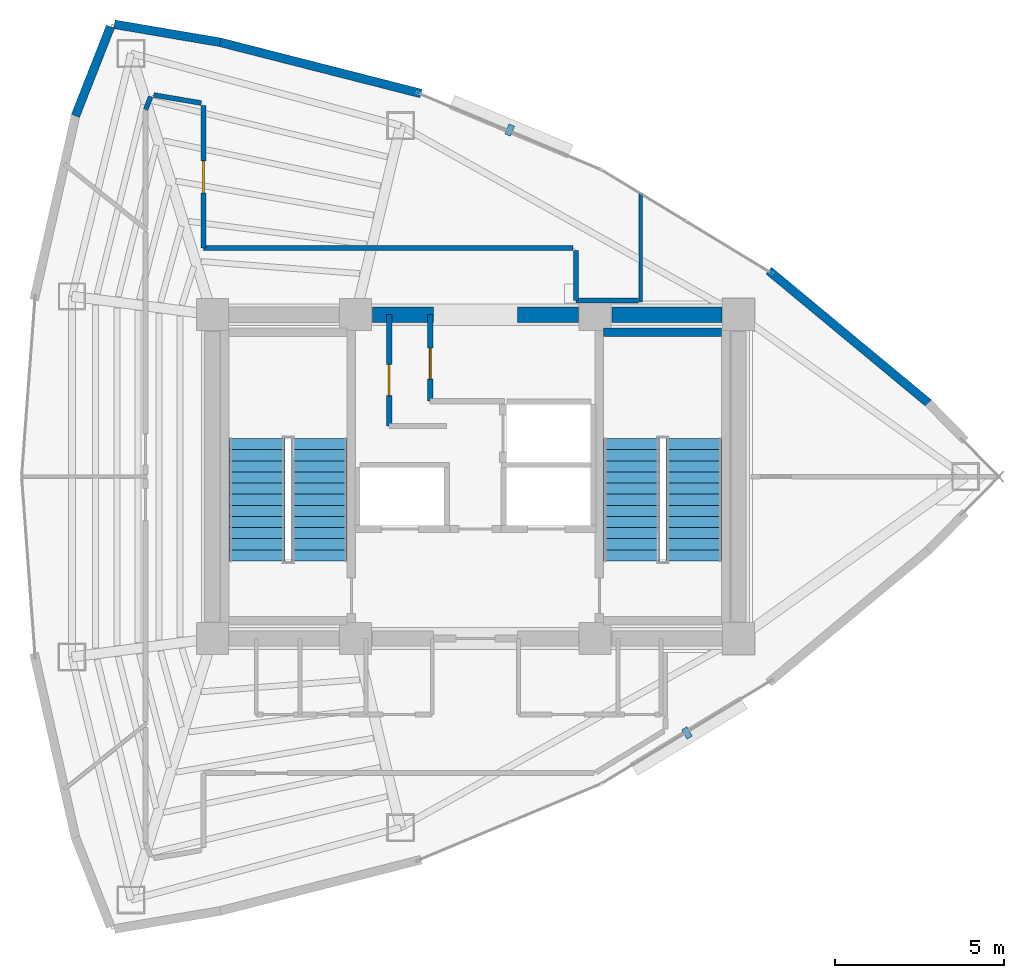
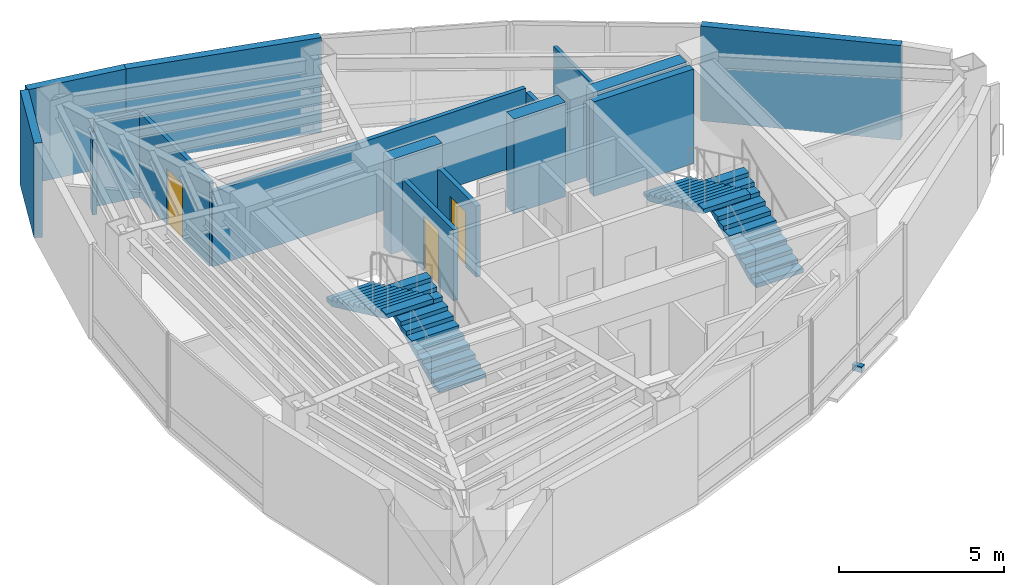
# One storey, part 13 of 15: 17 walls, 4 stair flights, 3 doors, 2 discrete accessories, 3 openings, 2 elements without a shape of their own.
"""IFC4 building model written with IfcOpenShell, lengths in metres."""

from ifc_helpers import new_model, si_unit, direction, frame, frame_2d, origin, origin_2d, place, context, subcontext, project, spatial, polyline, rectangle, outline, extrude, material, layer, layer_set, type_object, element, fill, aggregate, save


model = new_model("IFC4")

# Units and contexts
model_context = context("Model", 3, precision=1e-05, world=origin(), true_north=direction((0.0, 1.0)))
body_context = subcontext(model_context, "Body", "Model", "MODEL_VIEW")
ifc_project = project(units=[si_unit("LENGTHUNIT", "METRE"), si_unit("AREAUNIT", "SQUARE_METRE"), si_unit("VOLUMEUNIT", "CUBIC_METRE"), si_unit("PLANEANGLEUNIT", "RADIAN"), si_unit("MASSUNIT", "GRAM", prefix="KILO")], contexts=[model_context])

# Site, building, storey
site_placement = place(None, origin())
site = spatial("IfcSite", under=ifc_project, at=site_placement, CompositionType="ELEMENT")
building_placement = place(site_placement, origin())
building = spatial("IfcBuilding", under=site, at=building_placement, Name="Menara Vayukalpa", CompositionType="ELEMENT")
storey_placement = place(building_placement, frame((0.0, 0.0, 262.02001953125)))
storey = spatial("IfcBuildingStorey", under=building, at=storey_placement, Name="L66", CompositionType="ELEMENT", Elevation=262.02001953125)

# Walls
ifc_material_1 = material(Name="Concrete C50/60", Category="concrete")
ifc_layer_1 = layer(ifc_material_1, 0.449951171875)
ifc_layer_set_1 = layer_set([ifc_layer_1], Name="Concrete C50/60")
wall_type_1 = type_object("IfcWallType", Name="WAL-CW450", PredefinedType="SHEAR", material=ifc_layer_set_1)
wall_1_placement = place(storey_placement, frame((22.544921875, 26.800048828125, 0.0), z_axis=(0.0, 0.0, 1.0), x_axis=(1.0, 0.0, 0.0)))
element("IfcWall", 1, at=wall_1_placement, inside=storey, type_object=wall_type_1, Name="L66 Buttressed Core Shear Wall CWN2", PredefinedType="SHEAR", context=body_context, shape_type="SweptSolid", body=[
    extrude(rectangle(XDim=1.80517578125, YDim=0.449951171875, at=frame_2d((0.902587890625, 0.0))), origin(), (0.0, 0.0, 1.0), 3.5),
])
wall_2_placement = place(storey_placement, frame((26.85009765625, 26.800048828125, 0.0), z_axis=(0.0, 0.0, 1.0), x_axis=(1.0, 0.0, 0.0)))
element("IfcWall", 2, at=wall_2_placement, inside=storey, type_object=wall_type_1, Name="L66 Buttressed Core Shear Wall CWN3", PredefinedType="SHEAR", context=body_context, shape_type="SweptSolid", body=[
    extrude(rectangle(XDim=1.804931640625, YDim=0.449951171875, at=frame_2d((0.90234375, 0.0))), origin(), (0.0, 0.0, 1.0), 3.5),
])
wall_3_placement = place(storey_placement, frame((29.64501953125, 26.800048828125, 0.0), z_axis=(0.0, 0.0, 1.0), x_axis=(1.0, 0.0, 0.0)))
element("IfcWall", 3, at=wall_3_placement, inside=storey, type_object=wall_type_1, Name="L66 Buttressed Core Shear Wall CWN4", PredefinedType="SHEAR", context=body_context, shape_type="SweptSolid", body=[
    extrude(rectangle(XDim=3.260009765625, YDim=0.449951171875, at=frame_2d((1.6298828125, 0.0))), origin(), (0.0, 0.0, 1.0), 3.5),
])
ifc_material_2 = material(Name="Insulated Precast Concrete C40/50", Category="concrete")
ifc_layer_2 = layer(ifc_material_2, 0.260009765625)
ifc_layer_set_2 = layer_set([ifc_layer_2], Name="Insulated Precast Concrete C40/50")
wall_type_2 = type_object("IfcWallType", Name="WAL-EXT260", PredefinedType="PARTITIONING", material=ifc_layer_set_2)
wall_4_placement = place(storey_placement, frame((34.295166015625, 28.1083984375, 0.0), z_axis=(0.0, 0.0, 1.0), x_axis=(0.769779830138, -0.638309496337, 0.0)))
element("IfcWall", 4, at=wall_4_placement, inside=storey, type_object=wall_type_2, Name="L66 Perimeter Terracotta Pier Wall 03", PredefinedType="PARTITIONING", context=body_context, shape_type="SweptSolid", body=[
    extrude(rectangle(XDim=6.154052734375, YDim=0.260009765625, at=frame_2d((3.0771484375, 0.0))), origin(), (0.0, 0.0, 1.0), 3.5),
])
wall_5_placement = place(storey_placement, frame((18.0244140625, 34.878662109375, 0.0), z_axis=(0.0, 0.0, 1.0), x_axis=(0.968988278672, -0.247106689096, 0.0)))
element("IfcWall", 5, at=wall_5_placement, inside=storey, type_object=wall_type_2, Name="L66 Perimeter Terracotta Pier Wall 06", PredefinedType="PARTITIONING", context=body_context, shape_type="SweptSolid", body=[
    extrude(rectangle(XDim=6.154296875, YDim=0.260009765625, at=frame_2d((3.0771484375, 0.0))), origin(), (0.0, 0.0, 1.0), 3.5),
])
wall_6_placement = place(storey_placement, frame((14.900146484375, 35.40869140625, 0.0), z_axis=(0.0, 0.0, 1.0), x_axis=(0.985889432766, -0.167397808709, 0.0)))
element("IfcWall", 6, at=wall_6_placement, inside=storey, type_object=wall_type_2, Name="L66 Perimeter Terracotta Pier Wall 07", PredefinedType="PARTITIONING", context=body_context, shape_type="SweptSolid", body=[
    extrude(rectangle(XDim=3.180908203125, YDim=0.260009765625, at=frame_2d((1.59033203125, 0.0))), origin(), (0.0, 0.0, 1.0), 3.5),
])
wall_7_placement = place(storey_placement, frame((13.741943359375, 32.693359375, 0.0), z_axis=(0.0, 0.0, 1.0), x_axis=(0.36559927932, 0.930772349697, 0.0)))
element("IfcWall", 7, at=wall_7_placement, inside=storey, type_object=wall_type_2, Name="L66 Perimeter Terracotta Pier Wall 08", PredefinedType="PARTITIONING", context=body_context, shape_type="SweptSolid", body=[
    extrude(rectangle(XDim=2.845458984375, YDim=0.260009765625, at=frame_2d((1.4228515625, 0.0))), origin(), (0.0, 0.0, 1.0), 3.5),
])

# Wall, opening, door
ifc_material_3 = material(Name="Lightweight Concrete Blockwork C16/20", Category="masonry")
ifc_layer_3 = layer(ifc_material_3, 0.159912109375)
ifc_layer_set_3 = layer_set([ifc_layer_3], Name="Lightweight Concrete Blockwork C16/20")
wall_type_3 = type_object("IfcWallType", Name="WAL-FR150", PredefinedType="PARTITIONING", material=ifc_layer_set_3)
wall_8_placement = place(storey_placement, frame((23.0400390625, 23.5, 0.0), z_axis=(0.0, 0.0, 1.0), x_axis=(0.0, 1.0, 0.0)))
wall_8 = element("IfcWall", 8, at=wall_8_placement, inside=storey, type_object=wall_type_3, Name="L66 Interior Partition IW-L66-LV7WB", PredefinedType="PARTITIONING", context=body_context, shape_type="SweptSolid", body=[
    extrude(rectangle(XDim=3.300048828125, YDim=0.159912109375, at=frame_2d((1.64990234375, 0.0))), origin(), (0.0, 0.0, 1.0), 2.6298828125),
])
opening_1_placement = place(wall_8_placement, frame((0.89990234375, 0.0, 0.0)))
opening_1 = element("IfcOpeningElement", 9, at=opening_1_placement, cuts=wall_8, Name="Opening ID6", PredefinedType="OPENING", context=body_context, shape_type="SweptSolid", body=[
    extrude(rectangle(XDim=0.919921875, YDim=2.050048828125, at=frame_2d((0.4599609375, 1.02490234375))), frame((0.0, 0.08984375, 0.0), z_axis=(0.0, -1.0, 0.0), x_axis=(1.0, 0.0, 0.0)), (0.0, 0.0, 1.0), 0.179931640625),
])
ifc_material_4 = material(Name="Acoustic Hardwood Veneer Timber Door", Category="wood")
door_type_1 = type_object("IfcDoorType", Name="DR-INT92", OperationType="NOTDEFINED", PredefinedType="DOOR", material=ifc_material_4)
door_1_placement = place(opening_1_placement, origin())
door_1 = element("IfcDoor", 10, at=door_1_placement, inside=storey, type_object=door_type_1, Name="L66 Interior Door DR-L66-LV7W", OperationType="SINGLE_SWING_RIGHT", OverallHeight=2.050048828125, OverallWidth=0.919921875, PredefinedType="DOOR", context=body_context, shape_type="SweptSolid", body=[
    extrude(rectangle(XDim=0.919921875, YDim=2.050048828125, at=frame_2d((0.4599609375, 1.02490234375))), frame((0.0, 0.02490234375, 0.0), z_axis=(0.0, -1.0, 0.0), x_axis=(1.0, 0.0, 0.0)), (0.0, 0.0, 1.0), 0.050048828125),
])
fill(opening_1, door_1)

wall_9_placement = place(storey_placement, frame((24.260009765625, 24.239990234375, 0.0), z_axis=(0.0, 0.0, 1.0), x_axis=(0.0, 1.0, 0.0)))
wall_9 = element("IfcWall", 11, at=wall_9_placement, inside=storey, type_object=wall_type_3, Name="L66 Interior Partition IW-L66-LV7EB", PredefinedType="PARTITIONING", context=body_context, shape_type="SweptSolid", body=[
    extrude(rectangle(XDim=2.56005859375, YDim=0.159912109375, at=frame_2d((1.280029296875, 0.0))), origin(), (0.0, 0.0, 1.0), 2.6298828125),
])
opening_2_placement = place(wall_9_placement, frame((0.64990234375, 0.0, 0.0)))
opening_2 = element("IfcOpeningElement", 12, at=opening_2_placement, cuts=wall_9, Name="Opening ID6", PredefinedType="OPENING", context=body_context, shape_type="SweptSolid", body=[
    extrude(rectangle(XDim=0.919921875, YDim=2.050048828125, at=frame_2d((0.4599609375, 1.02490234375))), frame((0.0, 0.08984375, 0.0), z_axis=(0.0, -1.0, 0.0), x_axis=(1.0, 0.0, 0.0)), (0.0, 0.0, 1.0), 0.179931640625),
])
door_2_placement = place(opening_2_placement, origin())
door_2 = element("IfcDoor", 13, at=door_2_placement, inside=storey, type_object=door_type_1, Name="L66 Interior Door DR-L66-LV7E", OperationType="SINGLE_SWING_LEFT", OverallHeight=2.050048828125, OverallWidth=0.919921875, PredefinedType="DOOR", context=body_context, shape_type="SweptSolid", body=[
    extrude(rectangle(XDim=0.919921875, YDim=2.050048828125, at=frame_2d((0.4599609375, 1.02490234375))), frame((0.0, 0.02490234375, 0.0), z_axis=(0.0, -1.0, 0.0), x_axis=(1.0, 0.0, 0.0)), (0.0, 0.0, 1.0), 0.050048828125),
])
fill(opening_2, door_2)

# Walls
ifc_material_5 = material(Name="Acoustic Mineral Stud Partition", Category="masonry")
ifc_layer_4 = layer(ifc_material_5, 0.110107421875)
ifc_layer_set_4 = layer_set([ifc_layer_4], Name="Acoustic Mineral Stud Partition")
wall_type_4 = type_object("IfcWallType", Name="WAL-PT110", PredefinedType="PARTITIONING", material=ifc_layer_set_4)
wall_10_placement = place(storey_placement, frame((30.5, 27.169921875, 0.0), z_axis=(0.0, 0.0, 1.0), x_axis=(0.0, 1.0, 0.0)))
element("IfcWall", 14, at=wall_10_placement, inside=storey, type_object=wall_type_4, Name="L66 Interior Partition IW-L66-RDIV01", PredefinedType="PARTITIONING", context=body_context, shape_type="SweptSolid", body=[
    extrude(rectangle(XDim=3.237060546875, YDim=0.110107421875, at=frame_2d((1.61865234375, 0.0))), origin(), (0.0, 0.0, 1.0), 2.6298828125),
])
ifc_material_6 = material(Name="Gypsum Drywall Acoustic Stud Assembly", Category="masonry")
ifc_layer_5 = layer(ifc_material_6, 0.14501953125)
ifc_layer_set_5 = layer_set([ifc_layer_5], Name="Gypsum Drywall Acoustic Stud Assembly")
wall_type_5 = type_object("IfcWallType", Name="WAL-PT150", PredefinedType="PARTITIONING", material=ifc_layer_set_5)
wall_11_placement = place(storey_placement, frame((30.429931640625, 27.219970703125, 0.0), z_axis=(0.0, 0.0, 1.0), x_axis=(-1.0, 0.0, 0.0)))
element("IfcWall", 15, at=wall_11_placement, inside=storey, type_object=wall_type_5, Name="L66 Interior Partition IW-L66-CRM05-1", PredefinedType="PARTITIONING", context=body_context, shape_type="SweptSolid", body=[
    extrude(rectangle(XDim=1.849853515625, YDim=0.14501953125, at=frame_2d((0.9248046875, 0.0))), origin(), (0.0, 0.0, 1.0), 2.6298828125),
])
wall_12_placement = place(storey_placement, frame((28.580078125, 27.219970703125, 0.0), z_axis=(0.0, 0.0, 1.0), x_axis=(0.0, 1.0, 0.0)))
element("IfcWall", 16, at=wall_12_placement, inside=storey, type_object=wall_type_5, Name="L66 Interior Partition IW-L66-CRM05-2", PredefinedType="PARTITIONING", context=body_context, shape_type="SweptSolid", body=[
    extrude(rectangle(XDim=1.47998046875, YDim=0.14501953125, at=frame_2d((0.739990234375, 0.0))), origin(), (0.0, 0.0, 1.0), 2.6298828125),
])
wall_13_placement = place(storey_placement, frame((28.5, 28.780029296875, 0.0), z_axis=(0.0, 0.0, 1.0), x_axis=(-1.0, 0.0, 0.0)))
element("IfcWall", 17, at=wall_13_placement, inside=storey, type_object=wall_type_5, Name="L66 Interior Partition IW-L66-CRM05-3", PredefinedType="PARTITIONING", context=body_context, shape_type="SweptSolid", body=[
    extrude(rectangle(XDim=10.9599609375, YDim=0.14501953125, at=frame_2d((5.47998046875, 0.0))), origin(), (0.0, 0.0, 1.0), 2.780029296875),
])

# Wall, opening, door
wall_14_placement = place(storey_placement, frame((17.5400390625, 28.780029296875, 0.0), z_axis=(0.0, 0.0, 1.0), x_axis=(0.0, 1.0, 0.0)))
wall_14 = element("IfcWall", 18, at=wall_14_placement, inside=storey, type_object=wall_type_5, Name="L66 Interior Partition IW-L66-CRM05-4", PredefinedType="PARTITIONING", context=body_context, shape_type="SweptSolid", body=[
    extrude(rectangle(XDim=4.216064453125, YDim=0.14501953125, at=frame_2d((2.10791015625, 0.0))), origin(), (0.0, 0.0, 1.0), 3.1298828125),
])
opening_3_placement = place(wall_14_placement, frame((1.633056640625, 0.0, 0.0)))
opening_3 = element("IfcOpeningElement", 19, at=opening_3_placement, cuts=wall_14, Name="Opening ID5", PredefinedType="OPENING", context=body_context, shape_type="SweptSolid", body=[
    extrude(rectangle(XDim=0.949951171875, YDim=2.06005859375, at=frame_2d((0.47509765625, 1.030029296875))), frame((0.0, 0.08251953125, 0.0), z_axis=(0.0, -1.0, 0.0), x_axis=(1.0, 0.0, 0.0)), (0.0, 0.0, 1.0), 0.1650390625),
])
ifc_material_7 = material(Name="Acoustic Hardwood Veneer Timber Door", Category="wood")
door_type_2 = type_object("IfcDoorType", Name="DR-INT95", OperationType="NOTDEFINED", PredefinedType="DOOR", material=ifc_material_7)
door_3_placement = place(opening_3_placement, origin())
door_3 = element("IfcDoor", 20, at=door_3_placement, inside=storey, type_object=door_type_2, Name="L66 Interior Door DR-L66-RM05", OperationType="SINGLE_SWING_LEFT", OverallHeight=2.06005859375, OverallWidth=0.949951171875, PredefinedType="DOOR", context=body_context, shape_type="SweptSolid", body=[
    extrude(rectangle(XDim=0.949951171875, YDim=2.06005859375, at=frame_2d((0.47509765625, 1.030029296875))), frame((0.0, 0.02490234375, 0.0), z_axis=(0.0, -1.0, 0.0), x_axis=(1.0, 0.0, 0.0)), (0.0, 0.0, 1.0), 0.050048828125),
])
fill(opening_3, door_3)

# Walls
wall_15_placement = place(storey_placement, frame((17.473388671875, 33.074951171875, 0.0), z_axis=(0.0, 0.0, 1.0), x_axis=(-0.985881780308, 0.167442871621, 0.0)))
element("IfcWall", 21, at=wall_15_placement, inside=storey, type_object=wall_type_5, Name="L66 Interior Partition IW-L66-CRM05-5", PredefinedType="PARTITIONING", context=body_context, shape_type="SweptSolid", body=[
    extrude(rectangle(XDim=1.430419921875, YDim=0.14501953125, at=frame_2d((0.71533203125, 0.0))), origin(), (0.0, 0.0, 1.0), 3.1298828125),
])
wall_16_placement = place(storey_placement, frame((15.975341796875, 33.2646484375, 0.0), z_axis=(0.0, 0.0, 1.0), x_axis=(-0.365633948196, -0.930758731319, 0.0)))
element("IfcWall", 22, at=wall_16_placement, inside=storey, type_object=wall_type_5, Name="L66 Interior Partition IW-L66-CRM05-6", PredefinedType="PARTITIONING", context=body_context, shape_type="SweptSolid", body=[
    extrude(rectangle(XDim=0.409912109375, YDim=0.14501953125, at=frame_2d((0.205078125, 0.0))), origin(), (0.0, 0.0, 1.0), 2.780029296875),
])
ifc_material_8 = material(Name="Concrete C50/60", Category="concrete")
ifc_layer_6 = layer(ifc_material_8, 0.25)
ifc_layer_set_6 = layer_set([ifc_layer_6], Name="Concrete C50/60")
wall_type_6 = type_object("IfcWallType", Name="WAL-SW250", PredefinedType="SHEAR", material=ifc_layer_set_6)
wall_17_placement = place(storey_placement, frame((29.39990234375, 26.27490234375, 0.0), z_axis=(0.0, 0.0, 1.0), x_axis=(1.0, 0.0, 0.0)))
element("IfcWall", 23, at=wall_17_placement, inside=storey, type_object=wall_type_6, Name="L66 ST2 Structural Stair Shaft Wall N", PredefinedType="SHEAR", context=body_context, shape_type="SweptSolid", body=[
    extrude(rectangle(XDim=3.5, YDim=0.25, at=frame_2d((1.75, 0.0))), origin(), (0.0, 0.0, 1.0), 3.5),
])

# Stair, stair flights
ifc_material_9 = material(Name="Precast Concrete C40/50", Category="concrete")
stair_type = type_object("IfcStairType", Name="STR-T04", PredefinedType="DOUBLE_RETURN_STAIR", material=ifc_material_9)
stair_1_placement = place(storey_placement, origin())
stair_1 = element("IfcStair", 24, at=stair_1_placement, inside=storey, type_object=stair_type, Name="L66 Core Exit Stair ST-1", PredefinedType="DOUBLE_RETURN_STAIR")
ifc_material_10 = material(Name="Precast Concrete C40/50", Category="concrete")
stair_flight_type = type_object("IfcStairFlightType", Name="STF-T04", PredefinedType="STRAIGHT", material=ifc_material_10)
stair_flight_1_placement = place(storey_placement, frame((20.97509765625, 19.5, 0.0), z_axis=(0.0, 0.0, 1.0), x_axis=(0.0, 1.0, 0.0)))
stair_flight_1 = element("IfcStairFlight", 25, at=stair_flight_1_placement, type_object=stair_flight_type, Name="ST-1 flight 1", NumberOfRisers=12, NumberOfTreads=11, PredefinedType="STRAIGHT", RiserHeight=0.155, TreadLength=0.33, context=body_context, shape_type="SweptSolid", body=[
    extrude(outline(polyline([(0.0, 0.0), (0.0, 0.155029296875), (0.330078125, 0.155029296875), (0.330078125, 0.31005859375), (0.659912109375, 0.31005859375), (0.659912109375, 0.465087890625), (0.989990234375, 0.465087890625), (0.989990234375, 0.6201171875), (1.320068359375, 0.6201171875), (1.320068359375, 0.77490234375), (1.64990234375, 0.77490234375), (1.64990234375, 0.929931640625), (1.97998046875, 0.929931640625), (1.97998046875, 1.0849609375), (2.31005859375, 1.0849609375), (2.31005859375, 1.239990234375), (2.639892578125, 1.239990234375), (2.639892578125, 1.39501953125), (2.969970703125, 1.39501953125), (2.969970703125, 1.550048828125), (3.300048828125, 1.550048828125), (3.300048828125, 1.705078125), (3.6298828125, 1.705078125), (3.6298828125, 1.860107421875), (3.6298828125, 1.539306640625), (0.3525390625, 0.0), (0.0, 0.0)])), frame((0.0, 0.824951171875, 0.0), z_axis=(0.0, -1.0, 0.0), x_axis=(1.0, 0.0, 0.0)), (0.0, 0.0, 1.0), 1.64990234375),
])
stair_flight_2_placement = place(storey_placement, frame((19.125, 23.1298828125, 1.85986328125), z_axis=(0.0, 0.0, 1.0), x_axis=(0.0, -1.0, 0.0)))
stair_flight_2 = element("IfcStairFlight", 26, at=stair_flight_2_placement, type_object=stair_flight_type, Name="ST-1 flight 2", NumberOfRisers=12, NumberOfTreads=11, PredefinedType="STRAIGHT", RiserHeight=0.155, TreadLength=0.33, context=body_context, shape_type="SweptSolid", body=[
    extrude(outline(polyline([(0.0, 0.0), (0.0, 0.155029296875), (0.330078125, 0.155029296875), (0.330078125, 0.31005859375), (0.659912109375, 0.31005859375), (0.659912109375, 0.465087890625), (0.989990234375, 0.465087890625), (0.989990234375, 0.6201171875), (1.320068359375, 0.6201171875), (1.320068359375, 0.77490234375), (1.64990234375, 0.77490234375), (1.64990234375, 0.929931640625), (1.97998046875, 0.929931640625), (1.97998046875, 1.0849609375), (2.31005859375, 1.0849609375), (2.31005859375, 1.239990234375), (2.639892578125, 1.239990234375), (2.639892578125, 1.39501953125), (2.969970703125, 1.39501953125), (2.969970703125, 1.550048828125), (3.300048828125, 1.550048828125), (3.300048828125, 1.705078125), (3.6298828125, 1.705078125), (3.6298828125, 1.860107421875), (3.6298828125, 1.539306640625), (0.3525390625, 0.0), (0.0, 0.0)])), frame((0.0, 0.824951171875, 0.0), z_axis=(0.0, -1.0, 0.0), x_axis=(1.0, 0.0, 0.0)), (0.0, 0.0, 1.0), 1.64990234375),
])
aggregate(stair_1, [stair_flight_1, stair_flight_2])

stair_2_placement = place(storey_placement, origin())
stair_2 = element("IfcStair", 27, at=stair_2_placement, inside=storey, type_object=stair_type, Name="L66 Core Exit Stair ST-2", PredefinedType="DOUBLE_RETURN_STAIR")
stair_flight_3_placement = place(storey_placement, frame((32.074951171875, 19.5, 0.0), z_axis=(0.0, 0.0, 1.0), x_axis=(0.0, 1.0, 0.0)))
stair_flight_3 = element("IfcStairFlight", 28, at=stair_flight_3_placement, type_object=stair_flight_type, Name="ST-2 flight 1", NumberOfRisers=12, NumberOfTreads=11, PredefinedType="STRAIGHT", RiserHeight=0.155, TreadLength=0.33, context=body_context, shape_type="SweptSolid", body=[
    extrude(outline(polyline([(0.0, 0.0), (0.0, 0.155029296875), (0.330078125, 0.155029296875), (0.330078125, 0.31005859375), (0.659912109375, 0.31005859375), (0.659912109375, 0.465087890625), (0.989990234375, 0.465087890625), (0.989990234375, 0.6201171875), (1.320068359375, 0.6201171875), (1.320068359375, 0.77490234375), (1.64990234375, 0.77490234375), (1.64990234375, 0.929931640625), (1.97998046875, 0.929931640625), (1.97998046875, 1.0849609375), (2.31005859375, 1.0849609375), (2.31005859375, 1.239990234375), (2.639892578125, 1.239990234375), (2.639892578125, 1.39501953125), (2.969970703125, 1.39501953125), (2.969970703125, 1.550048828125), (3.300048828125, 1.550048828125), (3.300048828125, 1.705078125), (3.6298828125, 1.705078125), (3.6298828125, 1.860107421875), (3.6298828125, 1.539306640625), (0.3525390625, 0.0), (0.0, 0.0)])), frame((0.0, 0.824951171875, 0.0), z_axis=(0.0, -1.0, 0.0), x_axis=(1.0, 0.0, 0.0)), (0.0, 0.0, 1.0), 1.64990234375),
])
stair_flight_4_placement = place(storey_placement, frame((30.22509765625, 23.1298828125, 1.85986328125), z_axis=(0.0, 0.0, 1.0), x_axis=(0.0, -1.0, 0.0)))
stair_flight_4 = element("IfcStairFlight", 29, at=stair_flight_4_placement, type_object=stair_flight_type, Name="ST-2 flight 2", NumberOfRisers=12, NumberOfTreads=11, PredefinedType="STRAIGHT", RiserHeight=0.155, TreadLength=0.33, context=body_context, shape_type="SweptSolid", body=[
    extrude(outline(polyline([(0.0, 0.0), (0.0, 0.155029296875), (0.330078125, 0.155029296875), (0.330078125, 0.31005859375), (0.659912109375, 0.31005859375), (0.659912109375, 0.465087890625), (0.989990234375, 0.465087890625), (0.989990234375, 0.6201171875), (1.320068359375, 0.6201171875), (1.320068359375, 0.77490234375), (1.64990234375, 0.77490234375), (1.64990234375, 0.929931640625), (1.97998046875, 0.929931640625), (1.97998046875, 1.0849609375), (2.31005859375, 1.0849609375), (2.31005859375, 1.239990234375), (2.639892578125, 1.239990234375), (2.639892578125, 1.39501953125), (2.969970703125, 1.39501953125), (2.969970703125, 1.550048828125), (3.300048828125, 1.550048828125), (3.300048828125, 1.705078125), (3.6298828125, 1.705078125), (3.6298828125, 1.860107421875), (3.6298828125, 1.539306640625), (0.3525390625, 0.0), (0.0, 0.0)])), frame((0.0, 0.824951171875, 0.0), z_axis=(0.0, -1.0, 0.0), x_axis=(1.0, 0.0, 0.0)), (0.0, 0.0, 1.0), 1.64990234375),
])
aggregate(stair_2, [stair_flight_3, stair_flight_4])

# Discrete accessories
ifc_material_11 = material(Name="Stainless Steel 316 Sunshade Bracket", Category="steel")
discrete_accessory_type = type_object("IfcDiscreteAccessoryType", Name="ACC-BRK1", PredefinedType="BRACKET", material=ifc_material_11)
for number, where, z_axis, x_axis, name in (
    (30, (26.61767578125, 32.272705078125, -0.16015625), (0.0, 0.0, 1.0), (-0.922538089456, 0.385906042324, 0.0), "L66 Terracotta Sunshade Bracket 05"),
    (31, (31.87109375, 14.402587890625, -0.16015625), (0.0, 0.0, 1.0), (0.85466730962, 0.519176068272, 0.0), "L66 Terracotta Sunshade Bracket 17"),
):
    element("IfcDiscreteAccessory", number, at=place(storey_placement, frame(where, z_axis=z_axis, x_axis=x_axis)), inside=storey, type_object=discrete_accessory_type, Name=name, PredefinedType="BRACKET", context=body_context, shape_type="SweptSolid", body=[
        extrude(rectangle(XDim=0.179931640625, YDim=0.320068359375, at=origin_2d()), origin(), (0.0, 0.0, 1.0), 0.219970703125),
    ])

save(model, "model.ifc")
